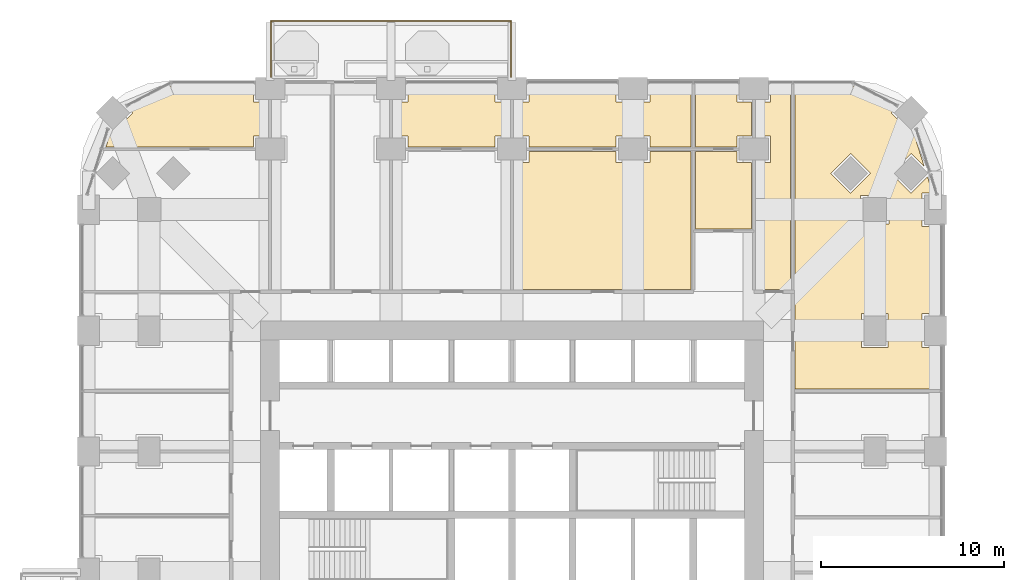
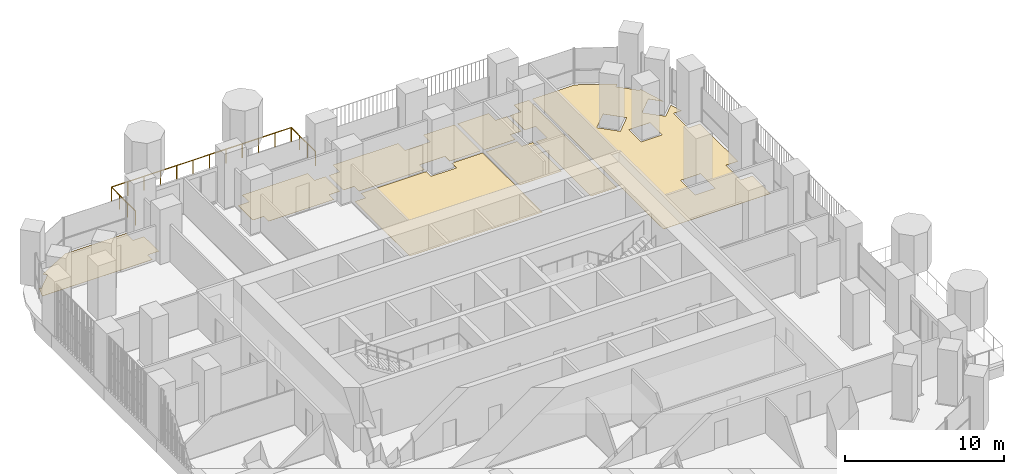
# One storey, part 20 of 21: 8 coverings, 1 railing.
"""IFC4 building model written with IfcOpenShell, lengths in metres."""

from ifc_helpers import new_model, si_unit, direction, frame, origin, place, context, subcontext, project, spatial, polyline, outline, extrude, material, layer, layer_set, type_object, element, save


model = new_model("IFC4")

# Units and contexts
model_context = context("Model", 3, precision=1e-05, world=origin(), true_north=direction((0.0, 1.0)))
body_context = subcontext(model_context, "Body", "Model", "MODEL_VIEW")
ifc_project = project(units=[si_unit("LENGTHUNIT", "METRE"), si_unit("AREAUNIT", "SQUARE_METRE"), si_unit("VOLUMEUNIT", "CUBIC_METRE"), si_unit("PLANEANGLEUNIT", "RADIAN"), si_unit("MASSUNIT", "GRAM", prefix="KILO")], contexts=[model_context])

# Site, building, storey
site_placement = place(None, origin())
site = spatial("IfcSite", under=ifc_project, at=site_placement, CompositionType="ELEMENT")
building_placement = place(site_placement, origin())
building = spatial("IfcBuilding", under=site, at=building_placement, Name="Cobogo Forest Laboratory Tower", CompositionType="ELEMENT")
storey_placement = place(building_placement, frame((0.0, 0.0, 107.39990234375)))
storey = spatial("IfcBuildingStorey", under=building, at=storey_placement, Name="L24", CompositionType="ELEMENT", Elevation=107.39990234375)

# Railing
ifc_material_1 = material(Name="Laminated glass balustrade", Category="glass")
railing_type = type_object("IfcRailingType", Name="BG1 glass balustrade 1100", PredefinedType="GUARDRAIL", material=ifc_material_1)
railing_placement = place(storey_placement, frame((13.25, 46.85009765625, 0.0)))
element("IfcRailing", 1, at=railing_placement, inside=storey, type_object=railing_type, Name="Balcony balustrade BAL-N1 L24", PredefinedType="GUARDRAIL", context=body_context, shape_type="SweptSolid", body=[
    extrude(outline(polyline([(0.022216796875, 0.00927734375), (0.00927734375, 0.022216796875), (-0.00927734375, 0.022216796875), (-0.022216796875, 0.00927734375), (-0.022216796875, -0.00927734375), (-0.00927734375, -0.022216796875), (0.00927734375, -0.022216796875), (0.022216796875, -0.00927734375), (0.022216796875, 0.00927734375)])), frame((0.0, 0.0, 1.077880859375), z_axis=(0.0, 1.0, 0.0), x_axis=(-1.0, 0.0, 0.0)), (0.0, 0.0, 1.0), 3.0498046875),
    extrude(outline(polyline([(0.022216796875, 0.00927734375), (0.00927734375, 0.022216796875), (-0.00927734375, 0.022216796875), (-0.022216796875, 0.00927734375), (-0.022216796875, -0.00927734375), (-0.00927734375, -0.022216796875), (0.00927734375, -0.022216796875), (0.022216796875, -0.00927734375), (0.022216796875, 0.00927734375)])), frame((0.0, 3.0498046875, 1.077880859375), z_axis=(1.0, 0.0, 0.0), x_axis=(0.0, 1.0, 0.0)), (0.0, 0.0, 1.0), 13.10009765625),
    extrude(outline(polyline([(0.022216796875, 0.00927734375), (0.00927734375, 0.022216796875), (-0.00927734375, 0.022216796875), (-0.022216796875, 0.00927734375), (-0.022216796875, -0.00927734375), (-0.00927734375, -0.022216796875), (0.00927734375, -0.022216796875), (0.022216796875, -0.00927734375), (0.022216796875, 0.00927734375)])), frame((13.10009765625, 3.0498046875, 1.077880859375), z_axis=(0.0, -1.0, 0.0), x_axis=(1.0, 0.0, 0.0)), (0.0, 0.0, 1.0), 3.0498046875),
    extrude(outline(polyline([(0.019287109375, 0.008056640625), (0.008056640625, 0.019287109375), (-0.008056640625, 0.019287109375), (-0.019287109375, 0.008056640625), (-0.019287109375, -0.008056640625), (-0.008056640625, -0.019287109375), (0.008056640625, -0.019287109375), (0.019287109375, -0.008056640625), (0.019287109375, 0.008056640625)])), origin(), (0.0, 0.0, 1.0), 1.077880859375),
    extrude(outline(polyline([(0.019287109375, 0.008056640625), (0.008056640625, 0.019287109375), (-0.008056640625, 0.019287109375), (-0.019287109375, 0.008056640625), (-0.019287109375, -0.008056640625), (-0.008056640625, -0.019287109375), (0.008056640625, -0.019287109375), (0.019287109375, -0.008056640625), (0.019287109375, 0.008056640625)])), frame((0.0, 1.0166015625, 0.0)), (0.0, 0.0, 1.0), 1.077880859375),
    extrude(outline(polyline([(0.019287109375, 0.008056640625), (0.008056640625, 0.019287109375), (-0.008056640625, 0.019287109375), (-0.019287109375, 0.008056640625), (-0.019287109375, -0.008056640625), (-0.008056640625, -0.019287109375), (0.008056640625, -0.019287109375), (0.019287109375, -0.008056640625), (0.019287109375, 0.008056640625)])), frame((0.0, 2.033203125, 0.0)), (0.0, 0.0, 1.0), 1.077880859375),
    extrude(outline(polyline([(0.019287109375, 0.008056640625), (0.008056640625, 0.019287109375), (-0.008056640625, 0.019287109375), (-0.019287109375, 0.008056640625), (-0.019287109375, -0.008056640625), (-0.008056640625, -0.019287109375), (0.008056640625, -0.019287109375), (0.019287109375, -0.008056640625), (0.019287109375, 0.008056640625)])), frame((0.0, 3.0498046875, 0.0)), (0.0, 0.0, 1.0), 1.077880859375),
    extrude(outline(polyline([(0.019287109375, 0.008056640625), (0.008056640625, 0.019287109375), (-0.008056640625, 0.019287109375), (-0.019287109375, 0.008056640625), (-0.019287109375, -0.008056640625), (-0.008056640625, -0.019287109375), (0.008056640625, -0.019287109375), (0.019287109375, -0.008056640625), (0.019287109375, 0.008056640625)])), frame((1.19091796875, 3.0498046875, 0.0)), (0.0, 0.0, 1.0), 1.077880859375),
    extrude(outline(polyline([(0.019287109375, 0.008056640625), (0.008056640625, 0.019287109375), (-0.008056640625, 0.019287109375), (-0.019287109375, 0.008056640625), (-0.019287109375, -0.008056640625), (-0.008056640625, -0.019287109375), (0.008056640625, -0.019287109375), (0.019287109375, -0.008056640625), (0.019287109375, 0.008056640625)])), frame((2.3818359375, 3.0498046875, 0.0)), (0.0, 0.0, 1.0), 1.077880859375),
    extrude(outline(polyline([(0.019287109375, 0.008056640625), (0.008056640625, 0.019287109375), (-0.008056640625, 0.019287109375), (-0.019287109375, 0.008056640625), (-0.019287109375, -0.008056640625), (-0.008056640625, -0.019287109375), (0.008056640625, -0.019287109375), (0.019287109375, -0.008056640625), (0.019287109375, 0.008056640625)])), frame((3.57275390625, 3.0498046875, 0.0)), (0.0, 0.0, 1.0), 1.077880859375),
    extrude(outline(polyline([(0.019287109375, 0.008056640625), (0.008056640625, 0.019287109375), (-0.008056640625, 0.019287109375), (-0.019287109375, 0.008056640625), (-0.019287109375, -0.008056640625), (-0.008056640625, -0.019287109375), (0.008056640625, -0.019287109375), (0.019287109375, -0.008056640625), (0.019287109375, 0.008056640625)])), frame((4.763671875, 3.0498046875, 0.0)), (0.0, 0.0, 1.0), 1.077880859375),
    extrude(outline(polyline([(0.019287109375, 0.008056640625), (0.008056640625, 0.019287109375), (-0.008056640625, 0.019287109375), (-0.019287109375, 0.008056640625), (-0.019287109375, -0.008056640625), (-0.008056640625, -0.019287109375), (0.008056640625, -0.019287109375), (0.019287109375, -0.008056640625), (0.019287109375, 0.008056640625)])), frame((5.95458984375, 3.0498046875, 0.0)), (0.0, 0.0, 1.0), 1.077880859375),
    extrude(outline(polyline([(0.019287109375, 0.008056640625), (0.008056640625, 0.019287109375), (-0.008056640625, 0.019287109375), (-0.019287109375, 0.008056640625), (-0.019287109375, -0.008056640625), (-0.008056640625, -0.019287109375), (0.008056640625, -0.019287109375), (0.019287109375, -0.008056640625), (0.019287109375, 0.008056640625)])), frame((7.1455078125, 3.0498046875, 0.0)), (0.0, 0.0, 1.0), 1.077880859375),
    extrude(outline(polyline([(0.019287109375, 0.008056640625), (0.008056640625, 0.019287109375), (-0.008056640625, 0.019287109375), (-0.019287109375, 0.008056640625), (-0.019287109375, -0.008056640625), (-0.008056640625, -0.019287109375), (0.008056640625, -0.019287109375), (0.019287109375, -0.008056640625), (0.019287109375, 0.008056640625)])), frame((8.33642578125, 3.0498046875, 0.0)), (0.0, 0.0, 1.0), 1.077880859375),
    extrude(outline(polyline([(0.019287109375, 0.008056640625), (0.008056640625, 0.019287109375), (-0.008056640625, 0.019287109375), (-0.019287109375, 0.008056640625), (-0.019287109375, -0.008056640625), (-0.008056640625, -0.019287109375), (0.008056640625, -0.019287109375), (0.019287109375, -0.008056640625), (0.019287109375, 0.008056640625)])), frame((9.52734375, 3.0498046875, 0.0)), (0.0, 0.0, 1.0), 1.077880859375),
    extrude(outline(polyline([(0.019287109375, 0.008056640625), (0.008056640625, 0.019287109375), (-0.008056640625, 0.019287109375), (-0.019287109375, 0.008056640625), (-0.019287109375, -0.008056640625), (-0.008056640625, -0.019287109375), (0.008056640625, -0.019287109375), (0.019287109375, -0.008056640625), (0.019287109375, 0.008056640625)])), frame((10.71826171875, 3.0498046875, 0.0)), (0.0, 0.0, 1.0), 1.077880859375),
    extrude(outline(polyline([(0.019287109375, 0.008056640625), (0.008056640625, 0.019287109375), (-0.008056640625, 0.019287109375), (-0.019287109375, 0.008056640625), (-0.019287109375, -0.008056640625), (-0.008056640625, -0.019287109375), (0.008056640625, -0.019287109375), (0.019287109375, -0.008056640625), (0.019287109375, 0.008056640625)])), frame((11.9091796875, 3.0498046875, 0.0)), (0.0, 0.0, 1.0), 1.077880859375),
    extrude(outline(polyline([(0.019287109375, 0.008056640625), (0.008056640625, 0.019287109375), (-0.008056640625, 0.019287109375), (-0.019287109375, 0.008056640625), (-0.019287109375, -0.008056640625), (-0.008056640625, -0.019287109375), (0.008056640625, -0.019287109375), (0.019287109375, -0.008056640625), (0.019287109375, 0.008056640625)])), frame((13.10009765625, 3.0498046875, 0.0)), (0.0, 0.0, 1.0), 1.077880859375),
    extrude(outline(polyline([(0.019287109375, 0.008056640625), (0.008056640625, 0.019287109375), (-0.008056640625, 0.019287109375), (-0.019287109375, 0.008056640625), (-0.019287109375, -0.008056640625), (-0.008056640625, -0.019287109375), (0.008056640625, -0.019287109375), (0.019287109375, -0.008056640625), (0.019287109375, 0.008056640625)])), frame((13.10009765625, 2.033203125, 0.0)), (0.0, 0.0, 1.0), 1.077880859375),
    extrude(outline(polyline([(0.019287109375, 0.008056640625), (0.008056640625, 0.019287109375), (-0.008056640625, 0.019287109375), (-0.019287109375, 0.008056640625), (-0.019287109375, -0.008056640625), (-0.008056640625, -0.019287109375), (0.008056640625, -0.019287109375), (0.019287109375, -0.008056640625), (0.019287109375, 0.008056640625)])), frame((13.10009765625, 1.0166015625, 0.0)), (0.0, 0.0, 1.0), 1.077880859375),
    extrude(outline(polyline([(0.019287109375, 0.008056640625), (0.008056640625, 0.019287109375), (-0.008056640625, 0.019287109375), (-0.019287109375, 0.008056640625), (-0.019287109375, -0.008056640625), (-0.008056640625, -0.019287109375), (0.008056640625, -0.019287109375), (0.019287109375, -0.008056640625), (0.019287109375, 0.008056640625)])), frame((13.10009765625, 0.0, 0.0)), (0.0, 0.0, 1.0), 1.077880859375),
])

# Coverings
ifc_material_2 = material(Name="Carpet tile on raised access floor", Category="flooring")
ifc_layer_1 = layer(ifc_material_2, 0.008056640625)
ifc_layer_set_1 = layer_set([ifc_layer_1], Name="CT1 carpet tile floor 8")
covering_type_1 = type_object("IfcCoveringType", Name="CT1 carpet tile floor 8", PredefinedType="FLOORING", material=ifc_layer_set_1)
covering_1_placement = place(storey_placement, origin())
element("IfcCovering", 2, at=covering_1_placement, inside=storey, type_object=covering_type_1, Name="Carpet floor L24-14", PredefinedType="FLOORING", context=body_context, shape_type="SweptSolid", body=[
    extrude(outline(polyline([(41.844970703125, 46.35009765625), (44.95068359375, 46.35009765625), (47.3193359375, 45.1083984375), (47.093017578125, 44.882080078125), (48.181884765625, 43.79296875), (48.283935546875, 43.89501953125), (48.89599609375, 41.95703125), (48.181884765625, 42.6708984375), (47.093017578125, 41.58203125), (48.181884765625, 40.492919921875), (49.075927734375, 41.386962890625), (49.349853515625, 40.52001953125), (48.780029296875, 40.52001953125), (48.780029296875, 38.679931640625), (49.64990234375, 38.679931640625), (49.64990234375, 33.919921875), (48.780029296875, 33.919921875), (48.780029296875, 32.080078125), (49.64990234375, 32.080078125), (49.64990234375, 29.820068359375), (41.844970703125, 29.820068359375), (41.844970703125, 46.35009765625)]), holes=[polyline([(45.429931640625, 40.3701171875), (45.429931640625, 38.830078125), (46.969970703125, 38.830078125), (46.969970703125, 40.3701171875), (45.429931640625, 40.3701171875)]), polyline([(46.919921875, 32.080078125), (46.919921875, 33.919921875), (45.47998046875, 33.919921875), (45.47998046875, 32.080078125), (46.919921875, 32.080078125)]), polyline([(43.79296875, 41.58203125), (44.882080078125, 40.492919921875), (45.970947265625, 41.58203125), (44.882080078125, 42.6708984375), (43.79296875, 41.58203125)])]), origin(), (0.0, 0.0, 1.0), 0.008056640625),
])
covering_2_placement = place(storey_placement, origin())
element("IfcCovering", 3, at=covering_2_placement, inside=storey, type_object=covering_type_1, Name="Carpet floor L24-16", PredefinedType="FLOORING", context=body_context, shape_type="SweptSolid", body=[
    extrude(outline(polyline([(4.23974609375, 43.02001953125), (4.51611328125, 43.89501953125), (4.617919921875, 43.79296875), (5.70703125, 44.882080078125), (5.480712890625, 45.1083984375), (7.84912109375, 46.35009765625), (12.280029296875, 46.35009765625), (12.280029296875, 45.47998046875), (13.080078125, 45.47998046875), (13.080078125, 43.6201171875), (12.280029296875, 43.6201171875), (12.280029296875, 43.02001953125), (4.23974609375, 43.02001953125)])), origin(), (0.0, 0.0, 1.0), 0.008056640625),
])
covering_3_placement = place(storey_placement, origin())
element("IfcCovering", 4, at=covering_3_placement, inside=storey, type_object=covering_type_1, Name="Carpet floor L24-20", PredefinedType="FLOORING", context=body_context, shape_type="SweptSolid", body=[
    extrude(outline(polyline([(20.719970703125, 43.02001953125), (20.719970703125, 43.6201171875), (19.919921875, 43.6201171875), (19.919921875, 45.47998046875), (20.719970703125, 45.47998046875), (20.719970703125, 46.35009765625), (25.47998046875, 46.35009765625), (25.47998046875, 45.47998046875), (26.280029296875, 45.47998046875), (26.280029296875, 43.6201171875), (25.47998046875, 43.6201171875), (25.47998046875, 43.02001953125), (20.719970703125, 43.02001953125)])), origin(), (0.0, 0.0, 1.0), 0.008056640625),
])
covering_4_placement = place(storey_placement, origin())
element("IfcCovering", 5, at=covering_4_placement, inside=storey, type_object=covering_type_1, Name="Carpet floor L24-22", PredefinedType="FLOORING", context=body_context, shape_type="SweptSolid", body=[
    extrude(outline(polyline([(33.919921875, 43.02001953125), (33.919921875, 43.6201171875), (32.080078125, 43.6201171875), (32.080078125, 43.02001953125), (27.320068359375, 43.02001953125), (27.320068359375, 43.6201171875), (26.52001953125, 43.6201171875), (26.52001953125, 45.47998046875), (27.320068359375, 45.47998046875), (27.320068359375, 46.35009765625), (32.080078125, 46.35009765625), (32.080078125, 45.47998046875), (33.919921875, 45.47998046875), (33.919921875, 46.35009765625), (36.179931640625, 46.35009765625), (36.179931640625, 43.02001953125), (33.919921875, 43.02001953125)])), origin(), (0.0, 0.0, 1.0), 0.008056640625),
])
covering_5_placement = place(storey_placement, origin())
element("IfcCovering", 6, at=covering_5_placement, inside=storey, type_object=covering_type_1, Name="Carpet floor L24-23", PredefinedType="FLOORING", context=body_context, shape_type="SweptSolid", body=[
    extrude(outline(polyline([(36.419921875, 42.780029296875), (38.679931640625, 42.780029296875), (38.679931640625, 42.179931640625), (39.47998046875, 42.179931640625), (39.47998046875, 38.544921875), (36.419921875, 38.544921875), (36.419921875, 42.780029296875)])), origin(), (0.0, 0.0, 1.0), 0.008056640625),
])
covering_6_placement = place(storey_placement, origin())
element("IfcCovering", 7, at=covering_6_placement, inside=storey, type_object=covering_type_1, Name="Carpet floor L24-24", PredefinedType="FLOORING", context=body_context, shape_type="SweptSolid", body=[
    extrude(outline(polyline([(36.419921875, 43.02001953125), (36.419921875, 46.35009765625), (38.679931640625, 46.35009765625), (38.679931640625, 45.47998046875), (39.47998046875, 45.47998046875), (39.47998046875, 43.6201171875), (38.679931640625, 43.6201171875), (38.679931640625, 43.02001953125), (36.419921875, 43.02001953125)])), origin(), (0.0, 0.0, 1.0), 0.008056640625),
])
covering_7_placement = place(storey_placement, origin())
element("IfcCovering", 8, at=covering_7_placement, inside=storey, type_object=covering_type_1, Name="Carpet floor L24-25", PredefinedType="FLOORING", context=body_context, shape_type="SweptSolid", body=[
    extrude(outline(polyline([(39.719970703125, 35.2451171875), (39.719970703125, 42.179931640625), (40.52001953125, 42.179931640625), (40.52001953125, 43.6201171875), (39.719970703125, 43.6201171875), (39.719970703125, 45.47998046875), (40.52001953125, 45.47998046875), (40.52001953125, 46.35009765625), (41.60498046875, 46.35009765625), (41.60498046875, 35.2451171875), (39.719970703125, 35.2451171875)])), origin(), (0.0, 0.0, 1.0), 0.008056640625),
])
ifc_material_3 = material(Name="Epoxy resin flooring", Category="flooring")
ifc_layer_2 = layer(ifc_material_3, 0.00390625)
ifc_layer_set_2 = layer_set([ifc_layer_2], Name="LF1 epoxy laboratory floor 4")
covering_type_2 = type_object("IfcCoveringType", Name="LF1 epoxy laboratory floor 4", PredefinedType="FLOORING", material=ifc_layer_set_2)
covering_8_placement = place(storey_placement, origin())
element("IfcCovering", 9, at=covering_8_placement, inside=storey, type_object=covering_type_2, Name="Epoxy laboratory floor L24-21", PredefinedType="FLOORING", context=body_context, shape_type="SweptSolid", body=[
    extrude(outline(polyline([(26.52001953125, 42.179931640625), (27.320068359375, 42.179931640625), (27.320068359375, 42.780029296875), (32.080078125, 42.780029296875), (32.080078125, 42.179931640625), (33.919921875, 42.179931640625), (33.919921875, 42.780029296875), (36.179931640625, 42.780029296875), (36.179931640625, 35.2451171875), (26.52001953125, 35.2451171875), (26.52001953125, 42.179931640625)])), origin(), (0.0, 0.0, 1.0), 0.004150390625),
])

save(model, "model.ifc")
